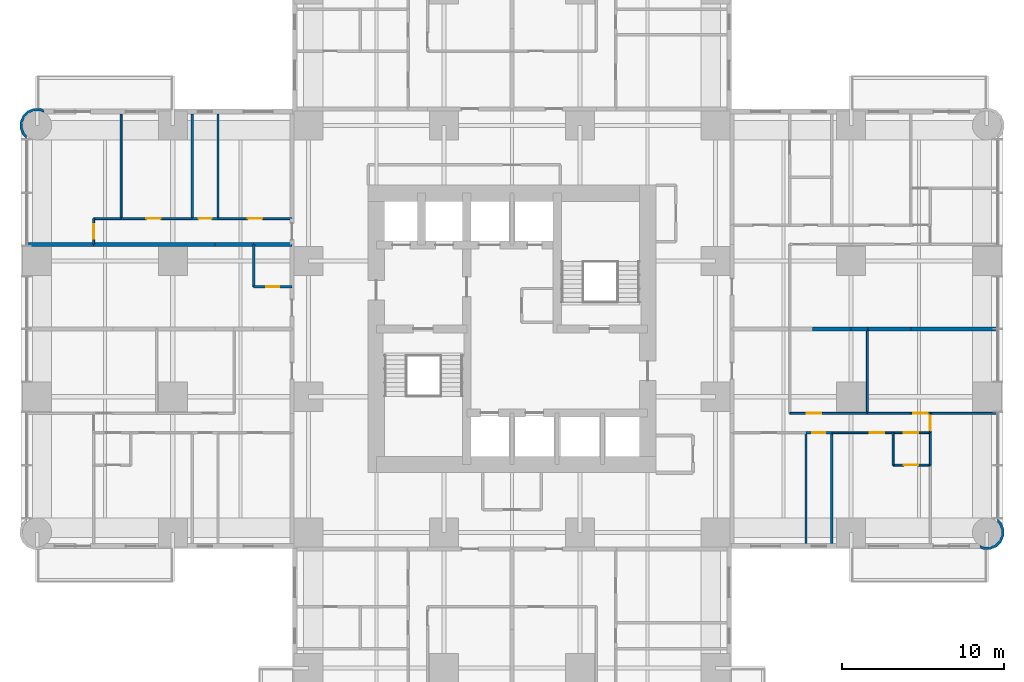
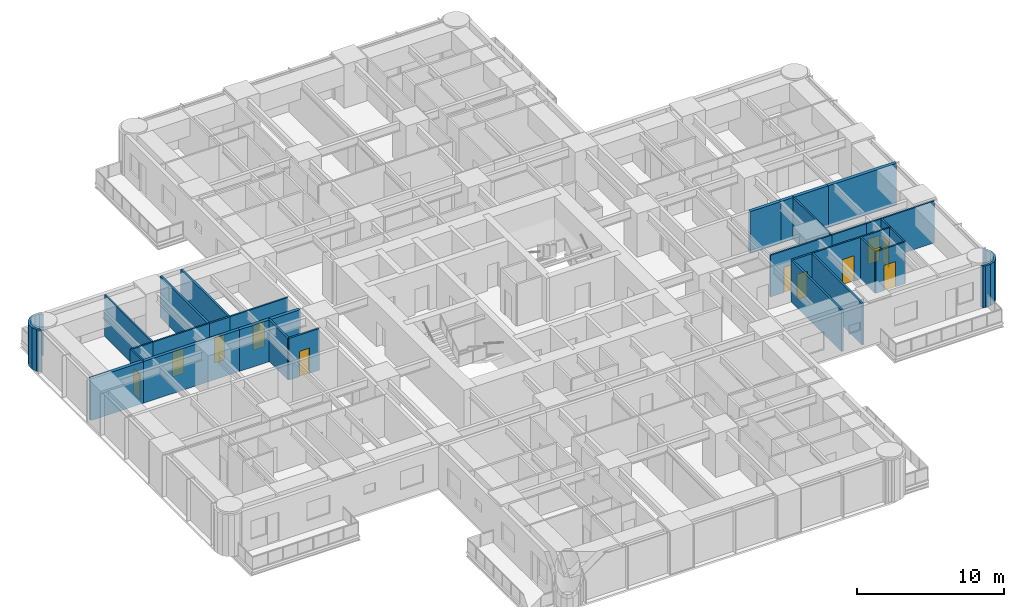
# One storey, part 11 of 17: 34 walls, 12 doors, 12 openings.
"""IFC4 building model written with IfcOpenShell, lengths in metres."""

from ifc_helpers import new_model, si_unit, direction, frame, frame_2d, origin, place, context, subcontext, project, spatial, polyline, rectangle, outline, extrude, material, layer, layer_set, type_object, element, fill, save


model = new_model("IFC4")

# Units and contexts
model_context = context("Model", 3, precision=1e-05, world=origin(), true_north=direction((0.0, 1.0)))
body_context = subcontext(model_context, "Body", "Model", "MODEL_VIEW")
ifc_project = project(units=[si_unit("LENGTHUNIT", "METRE"), si_unit("AREAUNIT", "SQUARE_METRE"), si_unit("VOLUMEUNIT", "CUBIC_METRE"), si_unit("PLANEANGLEUNIT", "RADIAN"), si_unit("MASSUNIT", "GRAM", prefix="KILO")], contexts=[model_context])

# Site, building, storey
site_placement = place(None, origin())
site = spatial("IfcSite", under=ifc_project, at=site_placement, CompositionType="ELEMENT")
building_placement = place(site_placement, origin())
building = spatial("IfcBuilding", under=site, at=building_placement, Name="Torre Alcanfor", CompositionType="ELEMENT")
storey_placement = place(building_placement, frame((0.0, 0.0, 48.89990234375)))
storey = spatial("IfcBuildingStorey", under=building, at=storey_placement, Name="L11", CompositionType="ELEMENT", Elevation=48.89990234375)

# Wall
ifc_material_1 = material(Name="Gypsum board on steel studs", Category="steel")
ifc_layer_1 = layer(ifc_material_1, 0.1201171875)
ifc_layer_set_1 = layer_set([ifc_layer_1], Name="Apartment partition 120")
wall_type_1 = type_object("IfcWallType", Name="Apartment partition 120", PredefinedType="PARTITIONING", material=ifc_layer_set_1)
wall_1_placement = place(storey_placement, frame((51.39990234375, 29.39990234375, 0.0), z_axis=(0.0, 0.0, 1.0), x_axis=(0.0, -1.0, 0.0)))
element("IfcWall", 1, at=wall_1_placement, inside=storey, type_object=wall_type_1, Name="Partition L11-E2-FAMILY / L11-E2-KITCHEN", PredefinedType="PARTITIONING", context=body_context, shape_type="SweptSolid", body=[
    extrude(rectangle(XDim=5.22900390625, YDim=0.1201171875, at=frame_2d((2.614501953125, 0.0))), origin(), (0.0, 0.0, 1.0), 3.4501953125),
])

# Wall, opening, door
wall_2_placement = place(storey_placement, frame((51.39990234375, 24.1708984375, 0.0), z_axis=(0.0, 0.0, 1.0), x_axis=(-1.0, 0.0, 0.0)))
wall_2 = element("IfcWall", 2, at=wall_2_placement, inside=storey, type_object=wall_type_1, Name="Partition L11-E2-FAMILY / L11-E2-HALL", PredefinedType="PARTITIONING", context=body_context, shape_type="SweptSolid", body=[
    extrude(rectangle(XDim=4.7998046875, YDim=0.1201171875, at=frame_2d((2.39990234375, 0.0))), origin(), (0.0, 0.0, 1.0), 3.4501953125),
])
opening_1_placement = place(wall_2_placement, frame((2.85009765625, 0.0, 0.0)))
opening_1 = element("IfcOpeningElement", 3, at=opening_1_placement, cuts=wall_2, Name="Opening D-R1", PredefinedType="OPENING", context=body_context, shape_type="SweptSolid", body=[
    extrude(rectangle(XDim=0.89990234375, YDim=2.10009765625, at=frame_2d((0.449951171875, 1.050048828125))), frame((0.0, 0.070068359375, 0.0), z_axis=(0.0, -1.0, 0.0), x_axis=(1.0, 0.0, 0.0)), (0.0, 0.0, 1.0), 0.14013671875),
])
ifc_material_2 = material(Name="Timber", Category="wood")
door_type_1 = type_object("IfcDoorType", Name="Internal door 900x2100", OperationType="SINGLE_SWING_LEFT", PredefinedType="DOOR", material=ifc_material_2)
door_1_placement = place(opening_1_placement, frame((0.89990234375, 0.0, 0.0), z_axis=(0.0, 0.0, 1.0), x_axis=(-1.0, 0.0, 0.0)))
door_1 = element("IfcDoor", 4, at=door_1_placement, inside=storey, type_object=door_type_1, Name="Door L11-E2 family", OperationType="SINGLE_SWING_LEFT", OverallHeight=2.10009765625, OverallWidth=0.89990234375, PredefinedType="DOOR", context=body_context, shape_type="SweptSolid", body=[
    extrude(rectangle(XDim=0.89990234375, YDim=2.10009765625, at=frame_2d((0.449951171875, 1.050048828125))), frame((0.0, 0.025146484375, 0.0), z_axis=(0.0, -1.0, 0.0), x_axis=(1.0, 0.0, 0.0)), (0.0, 0.0, 1.0), 0.050048828125),
])
fill(opening_1, door_1)

# Wall
wall_3_placement = place(storey_placement, frame((54.10009765625, 24.1708984375, 0.0), z_axis=(0.0, 0.0, 1.0), x_axis=(-1.0, 0.0, 0.0)))
element("IfcWall", 5, at=wall_3_placement, inside=storey, type_object=wall_type_1, Name="Partition L11-E2-KITCHEN / L11-E2-HALL", PredefinedType="PARTITIONING", context=body_context, shape_type="SweptSolid", body=[
    extrude(rectangle(XDim=2.7001953125, YDim=0.1201171875, at=frame_2d((1.35009765625, 0.0))), origin(), (0.0, 0.0, 1.0), 3.4501953125),
])

# Wall, opening, door
wall_4_placement = place(storey_placement, frame((55.300048828125, 24.1708984375, 0.0), z_axis=(0.0, 0.0, 1.0), x_axis=(-1.0, 0.0, 0.0)))
wall_4 = element("IfcWall", 6, at=wall_4_placement, inside=storey, type_object=wall_type_1, Name="Partition L11-E2-LIVING / L11-E2-HALL", PredefinedType="PARTITIONING", context=body_context, shape_type="SweptSolid", body=[
    extrude(rectangle(XDim=1.199951171875, YDim=0.1201171875, at=frame_2d((0.60009765625, 0.0))), origin(), (0.0, 0.0, 1.0), 3.4501953125),
])
opening_2_placement = place(wall_4_placement, frame((0.14990234375, 0.0, 0.0)))
opening_2 = element("IfcOpeningElement", 7, at=opening_2_placement, cuts=wall_4, Name="Opening D-R1", PredefinedType="OPENING", context=body_context, shape_type="SweptSolid", body=[
    extrude(rectangle(XDim=0.89990234375, YDim=2.10009765625, at=frame_2d((0.449951171875, 1.050048828125))), frame((0.0, 0.070068359375, 0.0), z_axis=(0.0, -1.0, 0.0), x_axis=(1.0, 0.0, 0.0)), (0.0, 0.0, 1.0), 0.14013671875),
])
door_2_placement = place(opening_2_placement, frame((0.89990234375, 0.0, 0.0), z_axis=(0.0, 0.0, 1.0), x_axis=(-1.0, 0.0, 0.0)))
door_2 = element("IfcDoor", 8, at=door_2_placement, inside=storey, type_object=door_type_1, Name="Door L11-E2 living", OperationType="SINGLE_SWING_LEFT", OverallHeight=2.10009765625, OverallWidth=0.89990234375, PredefinedType="DOOR", context=body_context, shape_type="SweptSolid", body=[
    extrude(rectangle(XDim=0.89990234375, YDim=2.10009765625, at=frame_2d((0.449951171875, 1.050048828125))), frame((0.0, 0.025146484375, 0.0), z_axis=(0.0, -1.0, 0.0), x_axis=(1.0, 0.0, 0.0)), (0.0, 0.0, 1.0), 0.050048828125),
])
fill(opening_2, door_2)

# Wall
wall_5_placement = place(storey_placement, frame((59.449951171875, 24.1708984375, 0.0), z_axis=(0.0, 0.0, 1.0), x_axis=(-1.0, 0.0, 0.0)))
element("IfcWall", 9, at=wall_5_placement, inside=storey, type_object=wall_type_1, Name="Partition L11-E2-LIVING / L11-E2-WGARD", PredefinedType="PARTITIONING", context=body_context, shape_type="SweptSolid", body=[
    extrude(rectangle(XDim=4.14990234375, YDim=0.1201171875, at=frame_2d((2.074951171875, 0.0))), origin(), (0.0, 0.0, 1.0), 3.4501953125),
])

# Wall, opening, door
wall_6_placement = place(storey_placement, frame((53.0, 22.970947265625, 0.0), z_axis=(0.0, 0.0, 1.0), x_axis=(-1.0, 0.0, 0.0)))
wall_6 = element("IfcWall", 10, at=wall_6_placement, inside=storey, type_object=wall_type_1, Name="Partition L11-E2-HALL / L11-E2-MASTER", PredefinedType="PARTITIONING", context=body_context, shape_type="SweptSolid", body=[
    extrude(rectangle(XDim=3.800048828125, YDim=0.1201171875, at=frame_2d((1.89990234375, 0.0))), origin(), (0.0, 0.0, 1.0), 3.4501953125),
])
opening_3_placement = place(wall_6_placement, frame((0.550048828125, 0.0, 0.0)))
opening_3 = element("IfcOpeningElement", 11, at=opening_3_placement, cuts=wall_6, Name="Opening D-R1", PredefinedType="OPENING", context=body_context, shape_type="SweptSolid", body=[
    extrude(rectangle(XDim=0.89990234375, YDim=2.10009765625, at=frame_2d((0.449951171875, 1.050048828125))), frame((0.0, 0.070068359375, 0.0), z_axis=(0.0, -1.0, 0.0), x_axis=(1.0, 0.0, 0.0)), (0.0, 0.0, 1.0), 0.14013671875),
])
door_3_placement = place(opening_3_placement, origin())
door_3 = element("IfcDoor", 12, at=door_3_placement, inside=storey, type_object=door_type_1, Name="Door L11-E2 master", OperationType="SINGLE_SWING_LEFT", OverallHeight=2.10009765625, OverallWidth=0.89990234375, PredefinedType="DOOR", context=body_context, shape_type="SweptSolid", body=[
    extrude(rectangle(XDim=0.89990234375, YDim=2.10009765625, at=frame_2d((0.449951171875, 1.050048828125))), frame((0.0, 0.02490234375, 0.0), z_axis=(0.0, -1.0, 0.0), x_axis=(1.0, 0.0, 0.0)), (0.0, 0.0, 1.0), 0.050048828125),
])
fill(opening_3, door_3)

wall_7_placement = place(storey_placement, frame((55.300048828125, 22.970947265625, 0.0), z_axis=(0.0, 0.0, 1.0), x_axis=(-1.0, 0.0, 0.0)))
wall_7 = element("IfcWall", 13, at=wall_7_placement, inside=storey, type_object=wall_type_1, Name="Partition L11-E2-HALL / L11-E2-VEST", PredefinedType="PARTITIONING", context=body_context, shape_type="SweptSolid", body=[
    extrude(rectangle(XDim=2.300048828125, YDim=0.1201171875, at=frame_2d((1.14990234375, 0.0))), origin(), (0.0, 0.0, 1.0), 3.4501953125),
])
opening_4_placement = place(wall_7_placement, frame((0.75, 0.0, 0.0)))
opening_4 = element("IfcOpeningElement", 14, at=opening_4_placement, cuts=wall_7, Name="Opening D-R1", PredefinedType="OPENING", context=body_context, shape_type="SweptSolid", body=[
    extrude(rectangle(XDim=0.89990234375, YDim=2.10009765625, at=frame_2d((0.449951171875, 1.050048828125))), frame((0.0, 0.070068359375, 0.0), z_axis=(0.0, -1.0, 0.0), x_axis=(1.0, 0.0, 0.0)), (0.0, 0.0, 1.0), 0.14013671875),
])
door_4_placement = place(opening_4_placement, origin())
door_4 = element("IfcDoor", 15, at=door_4_placement, inside=storey, type_object=door_type_1, Name="Door L11-E2 vest", OperationType="SINGLE_SWING_RIGHT", OverallHeight=2.10009765625, OverallWidth=0.89990234375, PredefinedType="DOOR", context=body_context, shape_type="SweptSolid", body=[
    extrude(rectangle(XDim=0.89990234375, YDim=2.10009765625, at=frame_2d((0.449951171875, 1.050048828125))), frame((0.0, 0.02490234375, 0.0), z_axis=(0.0, -1.0, 0.0), x_axis=(1.0, 0.0, 0.0)), (0.0, 0.0, 1.0), 0.050048828125),
])
fill(opening_4, door_4)

wall_8_placement = place(storey_placement, frame((55.300048828125, 24.1708984375, 0.0), z_axis=(0.0, 0.0, 1.0), x_axis=(0.0, -1.0, 0.0)))
wall_8 = element("IfcWall", 16, at=wall_8_placement, inside=storey, type_object=wall_type_1, Name="Partition L11-E2-HALL / L11-E2-WGARD", PredefinedType="PARTITIONING", context=body_context, shape_type="SweptSolid", body=[
    extrude(rectangle(XDim=1.199951171875, YDim=0.1201171875, at=frame_2d((0.60009765625, 0.0))), origin(), (0.0, 0.0, 1.0), 3.4501953125),
])
opening_5_placement = place(wall_8_placement, frame((0.15087890625, 0.0, 0.0)))
opening_5 = element("IfcOpeningElement", 17, at=opening_5_placement, cuts=wall_8, Name="Opening D-R1", PredefinedType="OPENING", context=body_context, shape_type="SweptSolid", body=[
    extrude(rectangle(XDim=0.89990234375, YDim=2.10009765625, at=frame_2d((0.449951171875, 1.050048828125))), frame((0.0, 0.070068359375, 0.0), z_axis=(0.0, -1.0, 0.0), x_axis=(1.0, 0.0, 0.0)), (0.0, 0.0, 1.0), 0.14013671875),
])
door_5_placement = place(opening_5_placement, origin())
door_5 = element("IfcDoor", 18, at=door_5_placement, inside=storey, type_object=door_type_1, Name="Door L11-E2 wgard", OperationType="SINGLE_SWING_LEFT", OverallHeight=2.10009765625, OverallWidth=0.89990234375, PredefinedType="DOOR", context=body_context, shape_type="SweptSolid", body=[
    extrude(rectangle(XDim=0.89990234375, YDim=2.10009765625, at=frame_2d((0.449951171875, 1.050048828125))), frame((0.0, 0.02490234375, 0.0), z_axis=(0.0, -1.0, 0.0), x_axis=(1.0, 0.0, 0.0)), (0.0, 0.0, 1.0), 0.050048828125),
])
fill(opening_5, door_5)

# Wall
wall_9_placement = place(storey_placement, frame((53.0, 22.970947265625, 0.0), z_axis=(0.0, 0.0, 1.0), x_axis=(0.0, -1.0, 0.0)))
element("IfcWall", 19, at=wall_9_placement, inside=storey, type_object=wall_type_1, Name="Partition L11-E2-MASTER / L11-E2-VEST", PredefinedType="PARTITIONING", context=body_context, shape_type="SweptSolid", body=[
    extrude(rectangle(XDim=2.0, YDim=0.1201171875, at=frame_2d((1.0, 0.0))), origin(), (0.0, 0.0, 1.0), 3.4501953125),
])

# Wall, opening, door
wall_10_placement = place(storey_placement, frame((53.0, 20.970947265625, 0.0), z_axis=(0.0, 0.0, 1.0), x_axis=(1.0, 0.0, 0.0)))
wall_10 = element("IfcWall", 20, at=wall_10_placement, inside=storey, type_object=wall_type_1, Name="Partition L11-E2-MASTER / L11-E2-VEST", PredefinedType="PARTITIONING", context=body_context, shape_type="SweptSolid", body=[
    extrude(rectangle(XDim=2.300048828125, YDim=0.1201171875, at=frame_2d((1.14990234375, 0.0))), origin(), (0.0, 0.0, 1.0), 3.4501953125),
])
opening_6_placement = place(wall_10_placement, frame((0.64990234375, 0.0, 0.0)))
opening_6 = element("IfcOpeningElement", 21, at=opening_6_placement, cuts=wall_10, Name="Opening D-R1", PredefinedType="OPENING", context=body_context, shape_type="SweptSolid", body=[
    extrude(rectangle(XDim=0.89990234375, YDim=2.10009765625, at=frame_2d((0.449951171875, 1.050048828125))), frame((0.0, 0.070068359375, 0.0), z_axis=(0.0, -1.0, 0.0), x_axis=(1.0, 0.0, 0.0)), (0.0, 0.0, 1.0), 0.14013671875),
])
door_6_placement = place(opening_6_placement, origin())
door_6 = element("IfcDoor", 22, at=door_6_placement, inside=storey, type_object=door_type_1, Name="Door L11-E2 master", OperationType="SINGLE_SWING_LEFT", OverallHeight=2.10009765625, OverallWidth=0.89990234375, PredefinedType="DOOR", context=body_context, shape_type="SweptSolid", body=[
    extrude(rectangle(XDim=0.89990234375, YDim=2.10009765625, at=frame_2d((0.449951171875, 1.050048828125))), frame((0.0, 0.02490234375, 0.0), z_axis=(0.0, -1.0, 0.0), x_axis=(1.0, 0.0, 0.0)), (0.0, 0.0, 1.0), 0.050048828125),
])
fill(opening_6, door_6)

# Wall
wall_11_placement = place(storey_placement, frame((55.300048828125, 22.970947265625, 0.0), z_axis=(0.0, 0.0, 1.0), x_axis=(0.0, -1.0, 0.0)))
element("IfcWall", 23, at=wall_11_placement, inside=storey, type_object=wall_type_1, Name="Partition L11-E2-VEST / L11-E2-WGARD", PredefinedType="PARTITIONING", context=body_context, shape_type="SweptSolid", body=[
    extrude(rectangle(XDim=2.0, YDim=0.1201171875, at=frame_2d((1.0, 0.0))), origin(), (0.0, 0.0, 1.0), 3.4501953125),
])

# Wall, opening, door
wall_12_placement = place(storey_placement, frame((11.199951171875, 36.22900390625, 0.0), z_axis=(0.0, 0.0, 1.0), x_axis=(1.0, 0.0, 0.0)))
wall_12 = element("IfcWall", 24, at=wall_12_placement, inside=storey, type_object=wall_type_1, Name="Partition L11-W2B-HALL / L11-W2B-MASTER", PredefinedType="PARTITIONING", context=body_context, shape_type="SweptSolid", body=[
    extrude(rectangle(XDim=4.574951171875, YDim=0.1201171875, at=frame_2d((2.28759765625, 0.0))), origin(), (0.0, 0.0, 1.0), 3.4501953125),
])
opening_7_placement = place(wall_12_placement, frame((1.85009765625, 0.0, 0.0)))
opening_7 = element("IfcOpeningElement", 25, at=opening_7_placement, cuts=wall_12, Name="Opening D-R1", PredefinedType="OPENING", context=body_context, shape_type="SweptSolid", body=[
    extrude(rectangle(XDim=0.89990234375, YDim=2.10009765625, at=frame_2d((0.449951171875, 1.050048828125))), frame((0.0, 0.070068359375, 0.0), z_axis=(0.0, -1.0, 0.0), x_axis=(1.0, 0.0, 0.0)), (0.0, 0.0, 1.0), 0.14013671875),
])
door_7_placement = place(opening_7_placement, origin())
door_7 = element("IfcDoor", 26, at=door_7_placement, inside=storey, type_object=door_type_1, Name="Door L11-W2B master", OperationType="SINGLE_SWING_RIGHT", OverallHeight=2.10009765625, OverallWidth=0.89990234375, PredefinedType="DOOR", context=body_context, shape_type="SweptSolid", body=[
    extrude(rectangle(XDim=0.89990234375, YDim=2.10009765625, at=frame_2d((0.449951171875, 1.050048828125))), frame((0.0, 0.02490234375, 0.0), z_axis=(0.0, -1.0, 0.0), x_axis=(1.0, 0.0, 0.0)), (0.0, 0.0, 1.0), 0.050048828125),
])
fill(opening_7, door_7)

wall_13_placement = place(storey_placement, frame((5.199951171875, 36.22900390625, 0.0), z_axis=(0.0, 0.0, 1.0), x_axis=(1.0, 0.0, 0.0)))
wall_13 = element("IfcWall", 27, at=wall_13_placement, inside=storey, type_object=wall_type_1, Name="Partition L11-W2B-HALL / L11-W2B-STUDY", PredefinedType="PARTITIONING", context=body_context, shape_type="SweptSolid", body=[
    extrude(rectangle(XDim=4.400146484375, YDim=0.1201171875, at=frame_2d((2.2001953125, 0.0))), origin(), (0.0, 0.0, 1.0), 3.4501953125),
])
opening_8_placement = place(wall_13_placement, frame((1.550048828125, 0.0, 0.0)))
opening_8 = element("IfcOpeningElement", 28, at=opening_8_placement, cuts=wall_13, Name="Opening D-R1", PredefinedType="OPENING", context=body_context, shape_type="SweptSolid", body=[
    extrude(rectangle(XDim=0.89990234375, YDim=2.10009765625, at=frame_2d((0.449951171875, 1.050048828125))), frame((0.0, 0.070068359375, 0.0), z_axis=(0.0, -1.0, 0.0), x_axis=(1.0, 0.0, 0.0)), (0.0, 0.0, 1.0), 0.14013671875),
])
door_8_placement = place(opening_8_placement, origin())
door_8 = element("IfcDoor", 29, at=door_8_placement, inside=storey, type_object=door_type_1, Name="Door L11-W2B study", OperationType="SINGLE_SWING_LEFT", OverallHeight=2.10009765625, OverallWidth=0.89990234375, PredefinedType="DOOR", context=body_context, shape_type="SweptSolid", body=[
    extrude(rectangle(XDim=0.89990234375, YDim=2.10009765625, at=frame_2d((0.449951171875, 1.050048828125))), frame((0.0, 0.02490234375, 0.0), z_axis=(0.0, -1.0, 0.0), x_axis=(1.0, 0.0, 0.0)), (0.0, 0.0, 1.0), 0.050048828125),
])
fill(opening_8, door_8)

# Wall
wall_14_placement = place(storey_placement, frame((3.5, 36.22900390625, 0.0), z_axis=(0.0, 0.0, 1.0), x_axis=(1.0, 0.0, 0.0)))
element("IfcWall", 30, at=wall_14_placement, inside=storey, type_object=wall_type_1, Name="Partition L11-W2B-HALL / L11-W2B-KITCHEN", PredefinedType="PARTITIONING", context=body_context, shape_type="SweptSolid", body=[
    extrude(rectangle(XDim=1.699951171875, YDim=0.1201171875, at=frame_2d((0.85009765625, 0.0))), origin(), (0.0, 0.0, 1.0), 3.4501953125),
])

# Wall, opening, door
wall_15_placement = place(storey_placement, frame((3.5, 34.62890625, 0.0), z_axis=(0.0, 0.0, 1.0), x_axis=(0.0, 1.0, 0.0)))
wall_15 = element("IfcWall", 31, at=wall_15_placement, inside=storey, type_object=wall_type_1, Name="Partition L11-W2B-HALL / L11-W2B-LIVING", PredefinedType="PARTITIONING", context=body_context, shape_type="SweptSolid", body=[
    extrude(rectangle(XDim=1.60009765625, YDim=0.1201171875, at=frame_2d((0.800048828125, 0.0))), origin(), (0.0, 0.0, 1.0), 3.4501953125),
])
opening_9_placement = place(wall_15_placement, frame((0.35009765625, 0.0, 0.0)))
opening_9 = element("IfcOpeningElement", 32, at=opening_9_placement, cuts=wall_15, Name="Opening D-R1", PredefinedType="OPENING", context=body_context, shape_type="SweptSolid", body=[
    extrude(rectangle(XDim=0.89990234375, YDim=2.10009765625, at=frame_2d((0.449951171875, 1.050048828125))), frame((0.0, 0.070068359375, 0.0), z_axis=(0.0, -1.0, 0.0), x_axis=(1.0, 0.0, 0.0)), (0.0, 0.0, 1.0), 0.14013671875),
])
door_9_placement = place(opening_9_placement, origin())
door_9 = element("IfcDoor", 33, at=door_9_placement, inside=storey, type_object=door_type_1, Name="Door L11-W2B living", OperationType="SINGLE_SWING_LEFT", OverallHeight=2.10009765625, OverallWidth=0.89990234375, PredefinedType="DOOR", context=body_context, shape_type="SweptSolid", body=[
    extrude(rectangle(XDim=0.89990234375, YDim=2.10009765625, at=frame_2d((0.449951171875, 1.050048828125))), frame((0.0, 0.02490234375, 0.0), z_axis=(0.0, -1.0, 0.0), x_axis=(1.0, 0.0, 0.0)), (0.0, 0.0, 1.0), 0.050048828125),
])
fill(opening_9, door_9)

# Walls
wall_16_placement = place(storey_placement, frame((5.199951171875, 36.22900390625, 0.0), z_axis=(0.0, 0.0, 1.0), x_axis=(0.0, 1.0, 0.0)))
element("IfcWall", 34, at=wall_16_placement, inside=storey, type_object=wall_type_1, Name="Partition L11-W2B-STUDY / L11-W2B-KITCHEN", PredefinedType="PARTITIONING", context=body_context, shape_type="SweptSolid", body=[
    extrude(rectangle(XDim=6.470947265625, YDim=0.1201171875, at=frame_2d((3.2353515625, 0.0))), origin(), (0.0, 0.0, 1.0), 3.4501953125),
])
ifc_material_3 = material(Name="Concrete block masonry, hollow blocks NMX-C-404 9 MPa", Category="masonry")
ifc_layer_2 = layer(ifc_material_3, 0.25)
ifc_layer_set_2 = layer_set([ifc_layer_2], Name="Party wall 250 EI 60")
wall_type_2 = type_object("IfcWallType", Name="Party wall 250 EI 60", PredefinedType="PARTITIONING", material=ifc_layer_set_2)
wall_17_placement = place(storey_placement, frame((48.0, 29.39990234375, 0.0), z_axis=(0.0, 0.0, 1.0), x_axis=(1.0, 0.0, 0.0)))
element("IfcWall", 35, at=wall_17_placement, inside=storey, type_object=wall_type_2, Name="Partition L11-E1-KITCHEN / L11-E2-FAMILY", PredefinedType="PARTITIONING", context=body_context, shape_type="SweptSolid", body=[
    extrude(rectangle(XDim=2.39990234375, YDim=0.25, at=frame_2d((1.199951171875, 0.0))), origin(), (0.0, 0.0, 1.0), 3.4501953125),
])
wall_18_placement = place(storey_placement, frame((50.39990234375, 29.39990234375, 0.0), z_axis=(0.0, 0.0, 1.0), x_axis=(1.0, 0.0, 0.0)))
element("IfcWall", 36, at=wall_18_placement, inside=storey, type_object=wall_type_2, Name="Partition L11-E1-LIVING / L11-E2-FAMILY", PredefinedType="PARTITIONING", context=body_context, shape_type="SweptSolid", body=[
    extrude(rectangle(XDim=1.0, YDim=0.25, at=frame_2d((0.5, 0.0))), origin(), (0.0, 0.0, 1.0), 3.4501953125),
])
wall_19_placement = place(storey_placement, frame((51.39990234375, 29.39990234375, 0.0), z_axis=(0.0, 0.0, 1.0), x_axis=(1.0, 0.0, 0.0)))
element("IfcWall", 37, at=wall_19_placement, inside=storey, type_object=wall_type_2, Name="Partition L11-E1-LIVING / L11-E2-KITCHEN", PredefinedType="PARTITIONING", context=body_context, shape_type="SweptSolid", body=[
    extrude(rectangle(XDim=2.7001953125, YDim=0.25, at=frame_2d((1.35009765625, 0.0))), origin(), (0.0, 0.0, 1.0), 3.4501953125),
])
wall_20_placement = place(storey_placement, frame((54.10009765625, 29.39990234375, 0.0), z_axis=(0.0, 0.0, 1.0), x_axis=(1.0, 0.0, 0.0)))
element("IfcWall", 38, at=wall_20_placement, inside=storey, type_object=wall_type_2, Name="Partition L11-E1-LIVING / L11-E2-LIVING", PredefinedType="PARTITIONING", context=body_context, shape_type="SweptSolid", body=[
    extrude(rectangle(XDim=5.349853515625, YDim=0.25, at=frame_2d((2.6748046875, 0.0))), origin(), (0.0, 0.0, 1.0), 3.4501953125),
])
wall_21_placement = place(storey_placement, frame((13.39990234375, 34.62890625, 0.0), z_axis=(0.0, 0.0, 1.0), x_axis=(1.0, 0.0, 0.0)))
element("IfcWall", 39, at=wall_21_placement, inside=storey, type_object=wall_type_2, Name="Partition L11-W2A-BATH / L11-W2B-HALL", PredefinedType="PARTITIONING", context=body_context, shape_type="SweptSolid", body=[
    extrude(rectangle(XDim=2.375, YDim=0.25, at=frame_2d((1.1875, 0.0))), origin(), (0.0, 0.0, 1.0), 3.4501953125),
])
wall_22_placement = place(storey_placement, frame((11.0, 34.62890625, 0.0), z_axis=(0.0, 0.0, 1.0), x_axis=(1.0, 0.0, 0.0)))
element("IfcWall", 40, at=wall_22_placement, inside=storey, type_object=wall_type_2, Name="Partition L11-W2A-KITCHEN / L11-W2B-HALL", PredefinedType="PARTITIONING", context=body_context, shape_type="SweptSolid", body=[
    extrude(rectangle(XDim=2.39990234375, YDim=0.25, at=frame_2d((1.199951171875, 0.0))), origin(), (0.0, 0.0, 1.0), 3.4501953125),
])
wall_23_placement = place(storey_placement, frame((3.5, 34.62890625, 0.0), z_axis=(0.0, 0.0, 1.0), x_axis=(1.0, 0.0, 0.0)))
element("IfcWall", 41, at=wall_23_placement, inside=storey, type_object=wall_type_2, Name="Partition L11-W2A-STUDIO / L11-W2B-HALL", PredefinedType="PARTITIONING", context=body_context, shape_type="SweptSolid", body=[
    extrude(rectangle(XDim=7.5, YDim=0.25, at=frame_2d((3.75, 0.0))), origin(), (0.0, 0.0, 1.0), 3.4501953125),
])
wall_24_placement = place(storey_placement, frame((-0.64990234375, 34.62890625, 0.0), z_axis=(0.0, 0.0, 1.0), x_axis=(1.0, 0.0, 0.0)))
element("IfcWall", 42, at=wall_24_placement, inside=storey, type_object=wall_type_2, Name="Partition L11-W2A-STUDIO / L11-W2B-LIVING", PredefinedType="PARTITIONING", context=body_context, shape_type="SweptSolid", body=[
    extrude(rectangle(XDim=4.14990234375, YDim=0.25, at=frame_2d((2.074951171875, 0.0))), origin(), (0.0, 0.0, 1.0), 3.4501953125),
])
ifc_material_4 = material(Name="Limestone cladding", Category="masonry")
ifc_layer_3 = layer(ifc_material_4, 0.0400390625, Name="Facing")
ifc_material_5 = material(Name="Ventilated air cavity")
ifc_layer_4 = layer(ifc_material_5, 0.02001953125, ventilated=True, Name="Ventilated joint")
ifc_material_6 = material(Name="Mineral wool insulation", Category="insulation")
ifc_layer_5 = layer(ifc_material_6, 0.10009765625, Name="Insulation")
ifc_material_7 = material(Name="Concrete f'c 35 MPa", Category="concrete")
ifc_layer_6 = layer(ifc_material_7, 0.139892578125, Name="Backing")
ifc_layer_set_3 = layer_set([ifc_layer_3, ifc_layer_4, ifc_layer_5, ifc_layer_6], Name="Rounded corner pier stone-clad 300")
wall_type_3 = type_object("IfcWallType", Name="Rounded corner pier stone-clad 300", PredefinedType="SOLIDWALL", material=ifc_layer_set_3)
wall_25_placement = place(storey_placement, frame((0.363962863, 42.909907157, 0.0), z_axis=(0.0, 0.0, 1.0), x_axis=(-0.926129809145, 0.377204953059, 0.0)))
element("IfcWall", 43, at=wall_25_placement, inside=storey, type_object=wall_type_3, Name="Corner pier L11 13", PredefinedType="SOLIDWALL", context=body_context, shape_type="SweptSolid", body=[
    extrude(outline(polyline([(0.36027248147905344, 1.8032799323574271), (0.5087783723473315, 1.740921099842025), (0.7605913470133172, 1.4857584601095954), (0.8957810128069955, 1.1538349835897281), (0.8939031559639274, 0.7953461823991875), (0.7547957339381889, 0.4650577343600455), (0.4996330942057594, 0.21324475969405968), (0.1677096176858921, 0.07805509390038129), (-0.09992182078970525, 0.07950523369113624), (0.0006988421670046999, -0.09699421764222865), (0.0300177129428464, -0.08030783699434613), (0.19858532179107968, -0.08124570553990346), (0.5888441232034033, 0.0777034519259609), (0.8888369702307105, 0.374136779300854), (1.052603126025944, 0.7629734686109036), (1.0550818122472803, 1.1847106876949156), (0.8961326547814159, 1.5749694891072394), (0.7776866026168303, 1.6949130219751851), (0.7691400347446393, 1.7275471706587737), (0.7502646662372825, 1.7227591424871238), (0.599699327406523, 1.8749623361345464), (0.2945484394782597, 2.0034825844222954), (0.2809820848521072, 1.9979571212427172), (0.36027248147905344, 1.8032799323574271)])), origin(), (0.0, 0.0, 1.0), 3.4501953125),
])
wall_26_placement = place(storey_placement, frame((58.436037137, 15.890092843, 0.0), z_axis=(0.0, 0.0, 1.0), x_axis=(0.926129809145, -0.377204953059, 0.0)))
element("IfcWall", 44, at=wall_26_placement, inside=storey, type_object=wall_type_3, Name="Corner pier L11 17", PredefinedType="SOLIDWALL", context=body_context, shape_type="SweptSolid", body=[
    extrude(outline(polyline([(0.769166837716128, 1.7276108100514604), (0.7500653632983351, 1.7227306908268178), (0.5995000244675756, 1.8749338844742405), (0.2945752424497483, 2.003546223814982), (0.2810088878235957, 1.9980207606354041), (0.36029928445054193, 1.803343571750114), (0.5086711604613772, 1.740666542271283), (0.7606181499848057, 1.4858220995022824), (0.8958078157784841, 1.153898622982415), (0.8937038530249802, 0.7953177307388815), (0.7545964309992416, 0.4650292826997394), (0.49975198823024103, 0.21308229317631072), (0.16782851171037358, 0.07789262738263233), (-0.0998950178182167, 0.07956887308382314), (0.0004995392280573718, -0.09702266930253471), (0.03004451591433495, -0.08024419760165923), (0.19838601885213236, -0.08127415720020953), (0.5888709261748919, 0.07776709131864781), (0.888863773202199, 0.37420041869354087), (1.0524038230869968, 0.7629450169505976), (1.0552007062717619, 1.1845482211771667), (0.8961594577529046, 1.5750331284999262), (0.777713405588319, 1.694976661367872), (0.769166837716128, 1.7276108100514604)])), origin(), (0.0, 0.0, 1.0), 3.4501953125),
])

# Wall, opening, door
ifc_material_8 = material(Name="Cement board on steel studs", Category="steel")
ifc_layer_7 = layer(ifc_material_8, 0.14990234375)
ifc_layer_set_4 = layer_set([ifc_layer_7], Name="Wet area partition 150")
wall_type_4 = type_object("IfcWallType", Name="Wet area partition 150", PredefinedType="PARTITIONING", material=ifc_layer_set_4)
wall_27_placement = place(storey_placement, frame((49.199951171875, 22.970947265625, 0.0), z_axis=(0.0, 0.0, 1.0), x_axis=(-1.0, 0.0, 0.0)))
wall_27 = element("IfcWall", 45, at=wall_27_placement, inside=storey, type_object=wall_type_4, Name="Partition L11-E2-HALL / L11-E2-BATH1", PredefinedType="PARTITIONING", context=body_context, shape_type="SweptSolid", body=[
    extrude(rectangle(XDim=1.599853515625, YDim=0.14990234375, at=frame_2d((0.7998046875, 0.0))), origin(), (0.0, 0.0, 1.0), 3.4501953125),
])
opening_10_placement = place(wall_27_placement, frame((0.39990234375, 0.0, 0.0)))
opening_10 = element("IfcOpeningElement", 46, at=opening_10_placement, cuts=wall_27, Name="Opening D-R2", PredefinedType="OPENING", context=body_context, shape_type="SweptSolid", body=[
    extrude(rectangle(XDim=0.800048828125, YDim=2.10009765625, at=frame_2d((0.39990234375, 1.050048828125))), frame((0.0, 0.0849609375, 0.0), z_axis=(0.0, -1.0, 0.0), x_axis=(1.0, 0.0, 0.0)), (0.0, 0.0, 1.0), 0.169921875),
])
ifc_material_9 = material(Name="Timber", Category="wood")
door_type_2 = type_object("IfcDoorType", Name="Bathroom door 800x2100", OperationType="SINGLE_SWING_LEFT", PredefinedType="DOOR", material=ifc_material_9)
door_10_placement = place(opening_10_placement, origin())
door_10 = element("IfcDoor", 47, at=door_10_placement, inside=storey, type_object=door_type_2, Name="Door L11-E2 bath1", OperationType="SINGLE_SWING_LEFT", OverallHeight=2.10009765625, OverallWidth=0.800048828125, PredefinedType="DOOR", context=body_context, shape_type="SweptSolid", body=[
    extrude(rectangle(XDim=0.800048828125, YDim=2.10009765625, at=frame_2d((0.39990234375, 1.050048828125))), frame((0.0, 0.02490234375, 0.0), z_axis=(0.0, -1.0, 0.0), x_axis=(1.0, 0.0, 0.0)), (0.0, 0.0, 1.0), 0.050048828125),
])
fill(opening_10, door_10)

# Walls
for number, where, z_axis, x_axis, name in (
    (48, (47.60009765625, 22.970947265625, 0.0), (0.0, 0.0, 1.0), (0.0, -1.0, 0.0), "Partition L11-E2-BED2 / L11-E2-BATH1"),
    (49, (49.199951171875, 22.970947265625, 0.0), (0.0, 0.0, 1.0), (0.0, -1.0, 0.0), "Partition L11-E2-BATH1 / L11-E2-MASTER"),
):
    element("IfcWall", number, at=place(storey_placement, frame(where, z_axis=z_axis, x_axis=x_axis)), inside=storey, type_object=wall_type_4, Name=name, PredefinedType="PARTITIONING", context=body_context, shape_type="SweptSolid", body=[
        extrude(rectangle(XDim=6.870849609375, YDim=0.14990234375, at=frame_2d((3.435546875, 0.0))), origin(), (0.0, 0.0, 1.0), 3.4501953125),
    ])

# Wall, opening, door
wall_28_placement = place(storey_placement, frame((13.39990234375, 32.0, 0.0), z_axis=(0.0, 0.0, 1.0), x_axis=(1.0, 0.0, 0.0)))
wall_28 = element("IfcWall", 50, at=wall_28_placement, inside=storey, type_object=wall_type_4, Name="Partition L11-W2A-FOYER / L11-W2A-BATH", PredefinedType="PARTITIONING", context=body_context, shape_type="SweptSolid", body=[
    extrude(rectangle(XDim=2.375, YDim=0.14990234375, at=frame_2d((1.1875, 0.0))), origin(), (0.0, 0.0, 1.0), 3.4501953125),
])
opening_11_placement = place(wall_28_placement, frame((0.800048828125, 0.0, 0.0)))
opening_11 = element("IfcOpeningElement", 51, at=opening_11_placement, cuts=wall_28, Name="Opening D-R2", PredefinedType="OPENING", context=body_context, shape_type="SweptSolid", body=[
    extrude(rectangle(XDim=0.800048828125, YDim=2.10009765625, at=frame_2d((0.39990234375, 1.050048828125))), frame((0.0, 0.0849609375, 0.0), z_axis=(0.0, -1.0, 0.0), x_axis=(1.0, 0.0, 0.0)), (0.0, 0.0, 1.0), 0.169921875),
])
door_11_placement = place(opening_11_placement, origin())
door_11 = element("IfcDoor", 52, at=door_11_placement, inside=storey, type_object=door_type_2, Name="Door L11-W2A bath", OperationType="SINGLE_SWING_RIGHT", OverallHeight=2.10009765625, OverallWidth=0.800048828125, PredefinedType="DOOR", context=body_context, shape_type="SweptSolid", body=[
    extrude(rectangle(XDim=0.800048828125, YDim=2.10009765625, at=frame_2d((0.39990234375, 1.050048828125))), frame((0.0, 0.02490234375, 0.0), z_axis=(0.0, -1.0, 0.0), x_axis=(1.0, 0.0, 0.0)), (0.0, 0.0, 1.0), 0.050048828125),
])
fill(opening_11, door_11)

# Wall
wall_29_placement = place(storey_placement, frame((13.39990234375, 32.0, 0.0), z_axis=(0.0, 0.0, 1.0), x_axis=(0.0, 1.0, 0.0)))
element("IfcWall", 53, at=wall_29_placement, inside=storey, type_object=wall_type_4, Name="Partition L11-W2A-BATH / L11-W2A-KITCHEN", PredefinedType="PARTITIONING", context=body_context, shape_type="SweptSolid", body=[
    extrude(rectangle(XDim=2.62890625, YDim=0.14990234375, at=frame_2d((1.314453125, 0.0))), origin(), (0.0, 0.0, 1.0), 3.4501953125),
])

# Wall, opening, door
wall_30_placement = place(storey_placement, frame((9.60009765625, 36.22900390625, 0.0), z_axis=(0.0, 0.0, 1.0), x_axis=(1.0, 0.0, 0.0)))
wall_30 = element("IfcWall", 54, at=wall_30_placement, inside=storey, type_object=wall_type_4, Name="Partition L11-W2B-HALL / L11-W2B-BATH", PredefinedType="PARTITIONING", context=body_context, shape_type="SweptSolid", body=[
    extrude(rectangle(XDim=1.599853515625, YDim=0.14990234375, at=frame_2d((0.7998046875, 0.0))), origin(), (0.0, 0.0, 1.0), 3.4501953125),
])
opening_12_placement = place(wall_30_placement, frame((0.39990234375, 0.0, 0.0)))
opening_12 = element("IfcOpeningElement", 55, at=opening_12_placement, cuts=wall_30, Name="Opening D-R2", PredefinedType="OPENING", context=body_context, shape_type="SweptSolid", body=[
    extrude(rectangle(XDim=0.800048828125, YDim=2.10009765625, at=frame_2d((0.39990234375, 1.050048828125))), frame((0.0, 0.0849609375, 0.0), z_axis=(0.0, -1.0, 0.0), x_axis=(1.0, 0.0, 0.0)), (0.0, 0.0, 1.0), 0.169921875),
])
door_12_placement = place(opening_12_placement, origin())
door_12 = element("IfcDoor", 56, at=door_12_placement, inside=storey, type_object=door_type_2, Name="Door L11-W2B bath", OperationType="SINGLE_SWING_LEFT", OverallHeight=2.10009765625, OverallWidth=0.800048828125, PredefinedType="DOOR", context=body_context, shape_type="SweptSolid", body=[
    extrude(rectangle(XDim=0.800048828125, YDim=2.10009765625, at=frame_2d((0.39990234375, 1.050048828125))), frame((0.0, 0.02490234375, 0.0), z_axis=(0.0, -1.0, 0.0), x_axis=(1.0, 0.0, 0.0)), (0.0, 0.0, 1.0), 0.050048828125),
])
fill(opening_12, door_12)

# Walls
for number, where, z_axis, x_axis, name in (
    (57, (11.199951171875, 36.22900390625, 0.0), (0.0, 0.0, 1.0), (0.0, 1.0, 0.0), "Partition L11-W2B-MASTER / L11-W2B-BATH"),
    (58, (9.60009765625, 36.22900390625, 0.0), (0.0, 0.0, 1.0), (0.0, 1.0, 0.0), "Partition L11-W2B-BATH / L11-W2B-STUDY"),
):
    element("IfcWall", number, at=place(storey_placement, frame(where, z_axis=z_axis, x_axis=x_axis)), inside=storey, type_object=wall_type_4, Name=name, PredefinedType="PARTITIONING", context=body_context, shape_type="SweptSolid", body=[
        extrude(rectangle(XDim=6.470947265625, YDim=0.14990234375, at=frame_2d((3.2353515625, 0.0))), origin(), (0.0, 0.0, 1.0), 3.4501953125),
    ])

save(model, "model.ifc")
